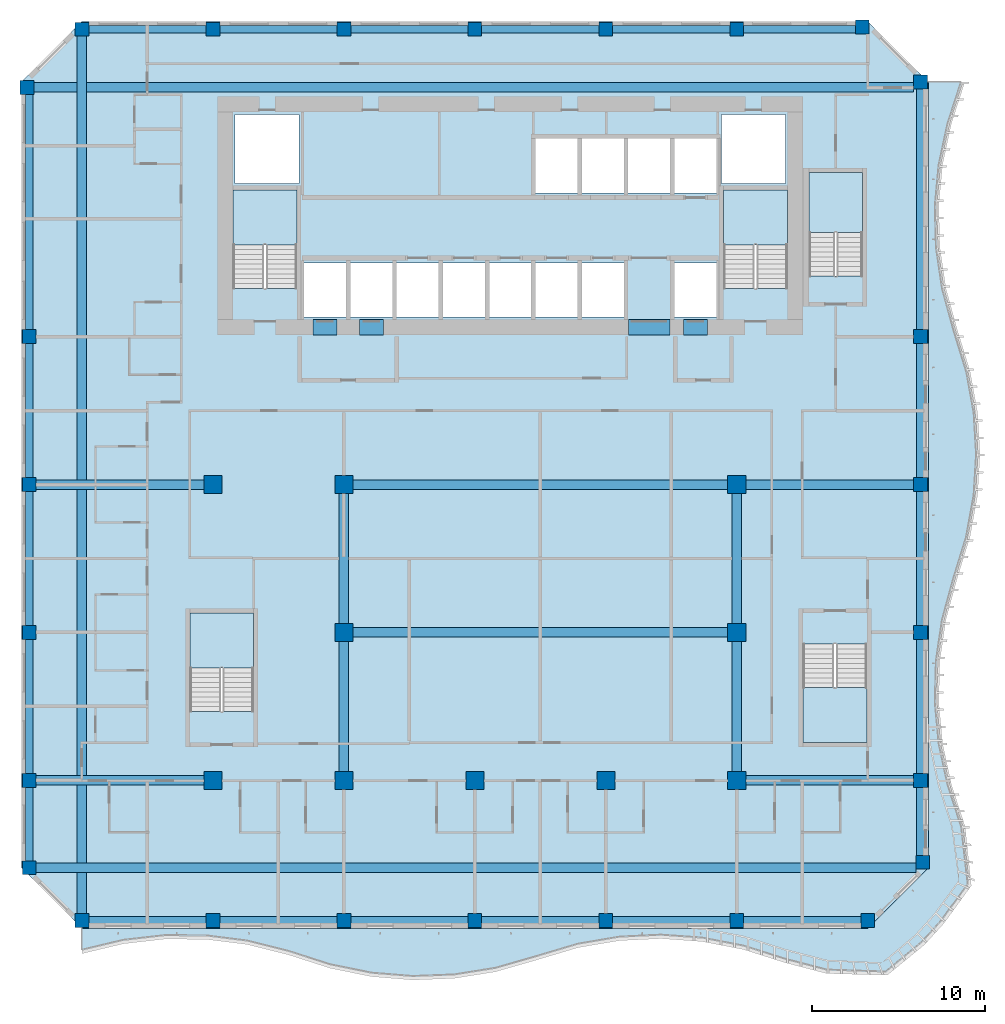
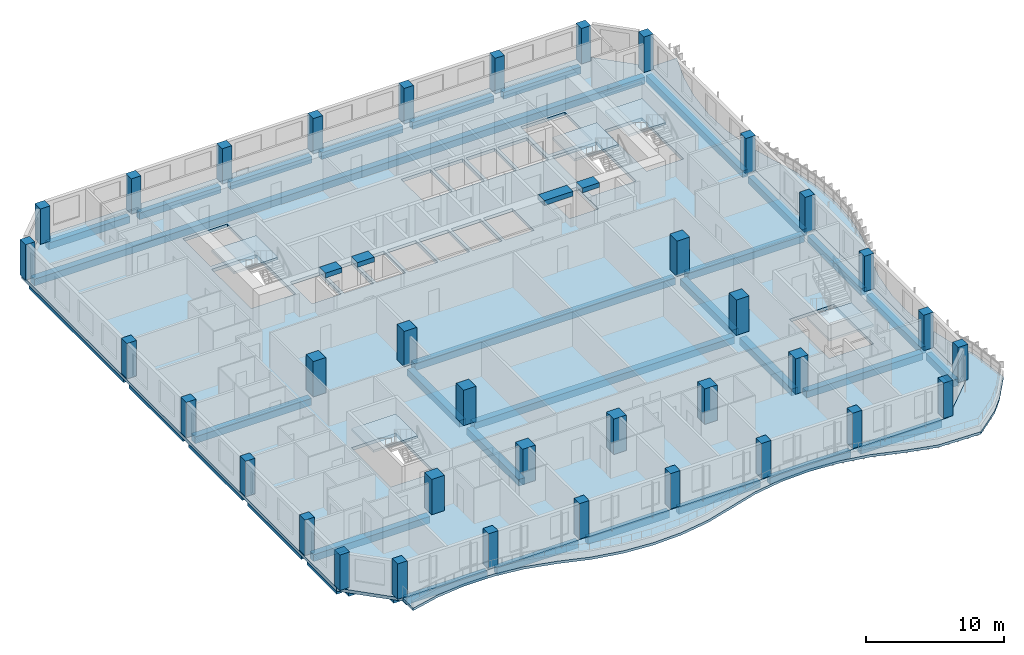
# One storey, part 1 of 23: 39 beams, 36 columns, 7 slabs, 5 elements without a shape of their own.
"""IFC4 building model written with IfcOpenShell, lengths in metres."""

import ifcopenshell
import ifcopenshell.guid

model = None  # the IFC model being written
_history = None  # IfcOwnerHistory: only IFC2X3 demands one
_inside = {}  # id of a spatial element -> (the spatial element, [elements in it])
_under = {}  # id of a project, library or spatial element -> (it, [spatial elements below it])
_declared = {}  # id of a project -> (the project, [libraries it declares])
_typed = {}  # id of a type object -> (the type object, [elements of that type])
_made_of = {}  # id of a material, layer set ... -> (it, [elements and type objects made of it])


def new_model(schema):
    """Start an empty IFC model of exactly this schema.

    Asked for "IFC4X3", IfcOpenShell would pick the latest addendum, in which some entities
    have other attributes; the version numbers below select the first issue.
    IFC2X3 requires an IfcOwnerHistory on every rooted entity: one is made here for all.
    """
    global model, _history
    if schema == "IFC4X3":
        model = ifcopenshell.file(schema_version=(4, 3, 0, 0))
    else:
        model = ifcopenshell.file(schema=schema)
    _inside.clear()
    _under.clear()
    _declared.clear()
    _typed.clear()
    _made_of.clear()
    _history = None
    if model.schema == "IFC2X3":
        org = make("IfcOrganization", Name="unknown")
        user = make(
            "IfcPersonAndOrganization",
            ThePerson=make("IfcPerson", FamilyName="unknown"),
            TheOrganization=org,
        )
        app = make(
            "IfcApplication",
            ApplicationDeveloper=org,
            Version="unknown",
            ApplicationFullName="unknown",
            ApplicationIdentifier="unknown",
        )
        _history = make(
            "IfcOwnerHistory",
            OwningUser=user,
            OwningApplication=app,
            ChangeAction="ADDED",
            CreationDate=0,
        )
    return model


def make(cls, **values):
    """One entity of the class cls with the attributes given. An attribute that is None is left unset."""
    return model.create_entity(
        cls, **{name: value for name, value in values.items() if value is not None}
    )


def rooted(cls, **values):
    """An entity with a GlobalId (a new one), such as an element, a storey or a relation."""
    return make(cls, GlobalId=ifcopenshell.guid.new(), OwnerHistory=_history, **values)


def si_unit(unit_type, name, prefix=None):
    """IfcSIUnit, for example si_unit("LENGTHUNIT", "METRE", prefix="MILLI")."""
    return make("IfcSIUnit", UnitType=unit_type, Prefix=prefix, Name=name)


def assignment(units):
    """IfcUnitAssignment: the units of a project."""
    return None if units is None else make("IfcUnitAssignment", Units=units)


def point(xyz):
    """IfcCartesianPoint."""
    return None if xyz is None else make("IfcCartesianPoint", Coordinates=xyz)


def direction(xyz):
    """IfcDirection."""
    return None if xyz is None else make("IfcDirection", DirectionRatios=xyz)


def frame(location, z_axis=None, x_axis=None):
    """IfcAxis2Placement3D, a coordinate frame: its origin and axes. An axis left out is left unset."""
    return make(
        "IfcAxis2Placement3D",
        Location=point(location),
        Axis=direction(z_axis),
        RefDirection=direction(x_axis),
    )


def frame_2d(location, x_axis=None):
    """IfcAxis2Placement2D, a coordinate frame in the plane: its origin and x axis."""
    return make(
        "IfcAxis2Placement2D", Location=point(location), RefDirection=direction(x_axis)
    )


def origin():
    """The frame at (0, 0, 0) with its axes left unset."""
    return frame((0.0, 0.0, 0.0))


def origin_2d():
    """The frame at (0, 0) in the plane with its x axis left unset."""
    return frame_2d((0.0, 0.0))


def place(relative_to, where):
    """IfcLocalPlacement: puts the frame where relative to a parent placement (None: the world)."""
    return make(
        "IfcLocalPlacement", PlacementRelTo=relative_to, RelativePlacement=where
    )


def context(
    kind, dimensions, precision=None, world=None, true_north=None, identifier=None
):
    """IfcGeometricRepresentationContext, for example the 3D "Model" context."""
    return make(
        "IfcGeometricRepresentationContext",
        ContextIdentifier=identifier,
        ContextType=kind,
        CoordinateSpaceDimension=dimensions,
        Precision=precision,
        WorldCoordinateSystem=world,
        TrueNorth=true_north,
    )


def subcontext(parent, identifier, kind, view, scale=None):
    """IfcGeometricRepresentationSubContext, for example "Body" below "Model"."""
    return make(
        "IfcGeometricRepresentationSubContext",
        ContextIdentifier=identifier,
        ContextType=kind,
        ParentContext=parent,
        TargetScale=scale,
        TargetView=view,
    )


def project(units=None, contexts=None):
    """IfcProject with its units and contexts."""
    return rooted(
        "IfcProject",
        Name="project",
        RepresentationContexts=contexts,
        UnitsInContext=assignment(units),
    )


def spatial(cls, under=None, at=None, **own):
    """A site, building, storey or space (cls), placed at a placement, below another one or the project."""
    s = rooted(cls, ObjectPlacement=at, **own)
    if under is not None:
        _under.setdefault(under.id(), (under, []))[1].append(s)
    return s


def polyline(points):
    """IfcPolyline through the points."""
    return make("IfcPolyline", Points=[point(p) for p in points])


def profile(cls, at=None, kind="AREA", **sizes):
    """A parametric profile (cls). Its sizes go by their IFC names, for example OverallWidth=200.0."""
    return make(cls, ProfileType=kind, Position=at, **sizes)


def rectangle(**sizes):
    """IfcRectangleProfileDef."""
    return profile("IfcRectangleProfileDef", **sizes)


def outline(outer, holes=None, kind="AREA"):
    """IfcArbitraryClosedProfileDef: a profile drawn as a closed curve; with holes, ...WithVoids."""
    if holes is None:
        return make("IfcArbitraryClosedProfileDef", ProfileType=kind, OuterCurve=outer)
    return make(
        "IfcArbitraryProfileDefWithVoids",
        ProfileType=kind,
        OuterCurve=outer,
        InnerCurves=holes,
    )


def extrude(swept, where, along, depth):
    """IfcExtrudedAreaSolid: the profile swept, set in the frame where, extruded along a direction by depth."""
    return make(
        "IfcExtrudedAreaSolid",
        SweptArea=swept,
        Position=where,
        ExtrudedDirection=direction(along),
        Depth=depth,
    )


def shape(context_of_items, identifier, shape_type, items):
    """IfcShapeRepresentation: the items that make up one representation, for example the "Body"."""
    return make(
        "IfcShapeRepresentation",
        ContextOfItems=context_of_items,
        RepresentationIdentifier=identifier,
        RepresentationType=shape_type,
        Items=items,
    )


def source(mapping_origin, context_of_items, identifier, shape_type, items):
    """IfcRepresentationMap: a shape defined once, which mapped items show again and again."""
    return make(
        "IfcRepresentationMap",
        MappingOrigin=mapping_origin,
        MappedRepresentation=shape(context_of_items, identifier, shape_type, items),
    )


def transform(
    local_origin,
    x_axis=None,
    y_axis=None,
    z_axis=None,
    scale=None,
    scale2=None,
    scale3=None,
    uniform=True,
):
    """IfcCartesianTransformationOperator3D, or its non-uniform kind. x_axis, y_axis, z_axis: its Axis1, 2, 3."""
    if uniform:
        return make(
            "IfcCartesianTransformationOperator3D",
            Axis1=direction(x_axis),
            Axis2=direction(y_axis),
            LocalOrigin=point(local_origin),
            Scale=scale,
            Axis3=direction(z_axis),
        )
    return make(
        "IfcCartesianTransformationOperator3DnonUniform",
        Axis1=direction(x_axis),
        Axis2=direction(y_axis),
        LocalOrigin=point(local_origin),
        Scale=scale,
        Axis3=direction(z_axis),
        Scale2=scale2,
        Scale3=scale3,
    )


def mapped(mapping_source, mapping_target):
    """IfcMappedItem: shows the shape of a source again, moved by a transform."""
    return make(
        "IfcMappedItem", MappingSource=mapping_source, MappingTarget=mapping_target
    )


def material(Name=None, Category=None):
    """IfcMaterial."""
    return make("IfcMaterial", Name=Name, Category=Category)


def layer(
    of_material, thickness, ventilated=None, Name=None, Category=None, Priority=None
):
    """IfcMaterialLayer: one layer of a wall or slab, of a material (None: an air gap)."""
    return make(
        "IfcMaterialLayer",
        Material=of_material,
        LayerThickness=thickness,
        IsVentilated=ventilated,
        Name=Name,
        Category=Category,
        Priority=Priority,
    )


def layer_set(layers, Name=None):
    """IfcMaterialLayerSet."""
    return make("IfcMaterialLayerSet", MaterialLayers=layers, LayerSetName=Name)


def material_profile(
    of_material, cross_section, Name=None, Category=None, Priority=None
):
    """IfcMaterialProfile: a cross section and its material."""
    return make(
        "IfcMaterialProfile",
        Name=Name,
        Material=of_material,
        Profile=cross_section,
        Priority=Priority,
        Category=Category,
    )


def profile_set(profiles, Name=None, composite=None):
    """IfcMaterialProfileSet."""
    return make(
        "IfcMaterialProfileSet",
        Name=Name,
        MaterialProfiles=profiles,
        CompositeProfile=composite,
    )


def made_of(thing, what):
    """Note that an element or type object is made of a material, layer set ...; save() writes the relation."""
    if what is not None:
        _made_of.setdefault(what.id(), (what, []))[1].append(thing)
    return thing


def type_object(cls, material=None, **own):
    """A type object (cls), such as IfcWallType, which elements share."""
    return made_of(rooted(cls, **own), material)


def element(
    cls,
    number,
    at=None,
    inside=None,
    cuts=None,
    type_object=None,
    material=None,
    context=None,
    identifier="Body",
    shape_type=None,
    held_by="IfcProductDefinitionShape",
    body=None,
    shapes=None,
    **own,
):
    """One element of the class cls, such as IfcWall. Its Tag is "e" and its number.

    at: its placement. inside: the storey or other place that contains it. cuts: it is an
    opening in that element (IfcRelVoidsElement). A single representation is given by context,
    identifier, shape_type and body (its items); several are given by shapes. held_by: the class
    of the entity that holds the representations. save() writes the other relations.
    """
    e = rooted(cls, Tag="e%d" % number, ObjectPlacement=at, **own)
    if body is not None:
        shapes = [shape(context, identifier, shape_type, body)]
    if shapes is not None:
        e.Representation = make(held_by, Representations=shapes)
    if inside is not None:
        _inside.setdefault(inside.id(), (inside, []))[1].append(e)
    if cuts is not None:
        rooted(
            "IfcRelVoidsElement", RelatingBuildingElement=cuts, RelatedOpeningElement=e
        )
    if type_object is not None:
        _typed.setdefault(type_object.id(), (type_object, []))[1].append(e)
    return made_of(e, material)


def aggregate(whole, parts):
    """IfcRelAggregates: a whole, such as a stair, and the parts it consists of."""
    return rooted("IfcRelAggregates", RelatingObject=whole, RelatedObjects=parts)


def save(model, path):
    """Write the relations noted so far, then the file.

    IfcRelAggregates (storeys below a building ...), IfcRelContainedInSpatialStructure (elements
    in a storey), IfcRelDefinesByType, IfcRelAssociatesMaterial and IfcRelDeclares: one each for
    every whole, place, type object, material and project.
    """
    for whole, parts in _under.values():
        aggregate(whole, parts)
    for where, things in _inside.values():
        rooted(
            "IfcRelContainedInSpatialStructure",
            RelatedElements=things,
            RelatingStructure=where,
        )
    for kind, things in _typed.values():
        rooted("IfcRelDefinesByType", RelatedObjects=things, RelatingType=kind)
    for what, things in _made_of.values():
        rooted("IfcRelAssociatesMaterial", RelatedObjects=things, RelatingMaterial=what)
    for by, libraries in _declared.values():
        rooted("IfcRelDeclares", RelatingContext=by, RelatedDefinitions=libraries)
    model.write(path)


model = new_model("IFC4")

# Units and contexts
model_context = context("Model", 3, precision=1e-05, world=origin(), true_north=direction((0.0, 1.0)))
body_context = subcontext(model_context, "Body", "Model", "MODEL_VIEW")
ifc_project = project(units=[si_unit("LENGTHUNIT", "METRE"), si_unit("AREAUNIT", "SQUARE_METRE"), si_unit("VOLUMEUNIT", "CUBIC_METRE"), si_unit("PLANEANGLEUNIT", "RADIAN"), si_unit("MASSUNIT", "GRAM", prefix="KILO")], contexts=[model_context])

# Site, building, storey
site_placement = place(None, origin())
site = spatial("IfcSite", under=ifc_project, at=site_placement, CompositionType="ELEMENT")
building_placement = place(site_placement, origin())
building = spatial("IfcBuilding", under=site, at=building_placement, Name="Kilnfold Tower and Market Hall", CompositionType="ELEMENT")
storey_placement = place(building_placement, frame((0.0, 0.0, 178.699951171875)))
storey = spatial("IfcBuildingStorey", under=building, at=storey_placement, Name="L42", CompositionType="ELEMENT", Elevation=178.699951171875)

# Columns
ifc_material_1 = material(Name="Concrete C70", Category="concrete")
ifc_material_profile_1 = material_profile(ifc_material_1, rectangle(XDim=0.800048828125, YDim=0.800048828125, at=origin_2d()), Name="RC 800x800")
ifc_profile_set_1 = profile_set([ifc_material_profile_1], Name="Concrete C70")
column_type_1 = type_object("IfcColumnType", Name="COLUMN 800X800 C70", PredefinedType="COLUMN", material=ifc_profile_set_1)
shared_shape_1 = source(origin(), body_context, "Body", "SweptSolid", [
    extrude(rectangle(XDim=0.800048828125, YDim=0.800048828125, at=origin_2d()), origin(), (0.0, 0.0, 1.0), 3.1201171875),
])
for number, where, z_axis, x_axis, name in (
    (1, (-26.931884765625, 22.431884765625, 0.0), (0.0, 0.0, 1.0), (1.0, 0.0, 0.0), "Column C-B5-1H"),
    (2, (-26.800048828125, -22.75, 0.0), (0.0, 0.0, 1.0), (1.0, 0.0, 0.0), "Column C-B5-1B"),
    (3, (-26.800048828125, -17.6875, 0.0), (0.0, 0.0, 1.0), (1.0, 0.0, 0.0), "Column C-B5-1C"),
    (4, (-26.800048828125, -9.125, 0.0), (0.0, 0.0, 1.0), (1.0, 0.0, 0.0), "Column C-B5-1D"),
    (5, (-26.800048828125, -0.5625, 0.0), (0.0, 0.0, 1.0), (1.0, 0.0, 0.0), "Column C-B5-1E"),
    (6, (-26.800048828125, 8.0, 0.0), (0.0, 0.0, 1.0), (1.0, 0.0, 0.0), "Column C-B5-1F"),
    (7, (-23.75, -25.800048828125, 0.0), (0.0, 0.0, 1.0), (1.0, 0.0, 0.0), "Column C-B5-2A"),
    (8, (-23.75, 25.800048828125, 0.0), (0.0, 0.0, 1.0), (1.0, 0.0, 0.0), "Column C-B5-2I"),
    (9, (-16.166748046875, -25.800048828125, 0.0), (0.0, 0.0, 1.0), (1.0, 0.0, 0.0), "Column C-B5-3A"),
    (10, (-16.166748046875, 25.800048828125, 0.0), (0.0, 0.0, 1.0), (1.0, 0.0, 0.0), "Column C-B5-3I"),
    (11, (-8.583251953125, -25.800048828125, 0.0), (0.0, 0.0, 1.0), (1.0, 0.0, 0.0), "Column C-B5-4A"),
    (12, (-8.583251953125, 25.800048828125, 0.0), (0.0, 0.0, 1.0), (1.0, 0.0, 0.0), "Column C-B5-4I"),
    (13, (-1.0, -25.800048828125, 0.0), (0.0, 0.0, 1.0), (1.0, 0.0, 0.0), "Column C-B5-5A"),
    (14, (-1.0, 25.800048828125, 0.0), (0.0, 0.0, 1.0), (1.0, 0.0, 0.0), "Column C-B5-5I"),
    (15, (6.583251953125, -25.800048828125, 0.0), (0.0, 0.0, 1.0), (1.0, 0.0, 0.0), "Column C-B5-6A"),
    (16, (6.583251953125, 25.800048828125, 0.0), (0.0, 0.0, 1.0), (1.0, 0.0, 0.0), "Column C-B5-6I"),
    (17, (14.166748046875, -25.800048828125, 0.0), (0.0, 0.0, 1.0), (1.0, 0.0, 0.0), "Column C-B5-7A"),
    (18, (14.166748046875, 25.800048828125, 0.0), (0.0, 0.0, 1.0), (1.0, 0.0, 0.0), "Column C-B5-7I"),
    (19, (21.431884765625, 25.931884765625, 0.0), (0.0, 0.0, 1.0), (1.0, 0.0, 0.0), "Column C-B5-8I"),
    (20, (21.75, -25.800048828125, 0.0), (0.0, 0.0, 1.0), (1.0, 0.0, 0.0), "Column C-B5-8A"),
    (21, (24.800048828125, -17.6875, 0.0), (0.0, 0.0, 1.0), (1.0, 0.0, 0.0), "Column C-B5-9C"),
    (22, (24.800048828125, -9.125, 0.0), (0.0, 0.0, 1.0), (1.0, 0.0, 0.0), "Column C-B5-9D"),
    (23, (24.800048828125, -0.5625, 0.0), (0.0, 0.0, 1.0), (1.0, 0.0, 0.0), "Column C-B5-9E"),
    (24, (24.800048828125, 8.0, 0.0), (0.0, 0.0, 1.0), (1.0, 0.0, 0.0), "Column C-B5-9F"),
    (25, (24.800048828125, 22.75, 0.0), (0.0, 0.0, 1.0), (1.0, 0.0, 0.0), "Column C-B5-9H"),
    (26, (24.931884765625, -22.431884765625, 0.0), (0.0, 0.0, 1.0), (1.0, 0.0, 0.0), "Column C-B5-9B"),
):
    element("IfcColumn", number, at=place(storey_placement, frame(where, z_axis=z_axis, x_axis=x_axis)), inside=storey, type_object=column_type_1, Name=name, PredefinedType="COLUMN", context=body_context, shape_type="MappedRepresentation", body=[
        mapped(shared_shape_1, transform((0.0, 0.0, 0.0))),
    ])
ifc_material_2 = material(Name="Concrete C70", Category="concrete")
ifc_material_profile_2 = material_profile(ifc_material_2, rectangle(XDim=1.050048828125, YDim=1.050048828125, at=origin_2d()), Name="RC 1050x1050")
ifc_profile_set_2 = profile_set([ifc_material_profile_2], Name="Concrete C70")
column_type_2 = type_object("IfcColumnType", Name="COLUMN 1050X1050 C70", PredefinedType="COLUMN", material=ifc_profile_set_2)
shared_shape_2 = source(origin(), body_context, "Body", "SweptSolid", [
    extrude(rectangle(XDim=1.050048828125, YDim=1.050048828125, at=origin_2d()), origin(), (0.0, 0.0, 1.0), 3.1201171875),
])
for number, where, z_axis, x_axis, name in (
    (27, (-16.166748046875, -17.6875, 0.0), (0.0, 0.0, 1.0), (1.0, 0.0, 0.0), "Column C-B5-3C"),
    (28, (-16.166748046875, -0.5625, 0.0), (0.0, 0.0, 1.0), (1.0, 0.0, 0.0), "Column C-B5-3E"),
    (29, (-8.583251953125, -17.6875, 0.0), (0.0, 0.0, 1.0), (1.0, 0.0, 0.0), "Column C-B5-4C"),
    (30, (-8.583251953125, -9.125, 0.0), (0.0, 0.0, 1.0), (1.0, 0.0, 0.0), "Column C-B5-4D"),
    (31, (-8.583251953125, -0.5625, 0.0), (0.0, 0.0, 1.0), (1.0, 0.0, 0.0), "Column C-B5-4E"),
    (32, (-1.0, -17.6875, 0.0), (0.0, 0.0, 1.0), (1.0, 0.0, 0.0), "Column C-B5-5C"),
    (33, (6.583251953125, -17.6875, 0.0), (0.0, 0.0, 1.0), (1.0, 0.0, 0.0), "Column C-B5-6C"),
    (34, (14.166748046875, -17.6875, 0.0), (0.0, 0.0, 1.0), (1.0, 0.0, 0.0), "Column C-B5-7C"),
    (35, (14.166748046875, -9.125, 0.0), (0.0, 0.0, 1.0), (1.0, 0.0, 0.0), "Column C-B5-7D"),
    (36, (14.166748046875, -0.5625, 0.0), (0.0, 0.0, 1.0), (1.0, 0.0, 0.0), "Column C-B5-7E"),
):
    element("IfcColumn", number, at=place(storey_placement, frame(where, z_axis=z_axis, x_axis=x_axis)), inside=storey, type_object=column_type_2, Name=name, PredefinedType="COLUMN", context=body_context, shape_type="MappedRepresentation", body=[
        mapped(shared_shape_2, transform((0.0, 0.0, 0.0))),
    ])

# Beams
ifc_material_3 = material(Name="Concrete C70", Category="concrete")
ifc_material_profile_3 = material_profile(ifc_material_3, rectangle(XDim=0.89990234375, YDim=0.419921875, at=origin_2d()), Name="RC 900x420")
ifc_profile_set_3 = profile_set([ifc_material_profile_3], Name="Concrete C70")
beam_type_1 = type_object("IfcBeamType", Name="COUPLING BEAM 900X420 C70", PredefinedType="BEAM", material=ifc_profile_set_3)
shared_shape_3 = source(origin(), body_context, "Body", "SweptSolid", [
    extrude(rectangle(XDim=0.89990234375, YDim=0.419921875, at=origin_2d()), origin(), (0.0, 0.0, 1.0), 1.400146484375),
])
beam_1_placement = place(storey_placement, frame((-10.3701171875, 8.550048828125, 2.91015625), z_axis=(1.0, 0.0, 0.0), x_axis=(0.0, 1.0, 0.0)))
element("IfcBeam", 37, at=beam_1_placement, inside=storey, type_object=beam_type_1, Name="Coupling beam CB420-70-CORE.37", PredefinedType="BEAM", context=body_context, shape_type="MappedRepresentation", body=[
    mapped(shared_shape_3, transform((0.0, 0.0, 0.0))),
])
shared_shape_4 = source(origin(), body_context, "Body", "SweptSolid", [
    extrude(rectangle(XDim=0.89990234375, YDim=0.419921875, at=origin_2d()), origin(), (0.0, 0.0, 1.0), 1.39990234375),
])
for number, where, z_axis, x_axis, name in (
    (38, (-7.68994140625, 8.550048828125, 2.91015625), (1.0, 0.0, 0.0), (0.0, 1.0, 0.0), "Coupling beam CB420-70-CORE.38"),
    (39, (11.070068359375, 8.550048828125, 2.91015625), (1.0, 0.0, 0.0), (0.0, 1.0, 0.0), "Coupling beam CB420-70-CORE.40"),
):
    element("IfcBeam", number, at=place(storey_placement, frame(where, z_axis=z_axis, x_axis=x_axis)), inside=storey, type_object=beam_type_1, Name=name, PredefinedType="BEAM", context=body_context, shape_type="MappedRepresentation", body=[
        mapped(shared_shape_4, transform((0.0, 0.0, 0.0))),
    ])
shared_shape_5 = source(origin(), body_context, "Body", "SweptSolid", [
    extrude(rectangle(XDim=0.89990234375, YDim=0.419921875, at=origin_2d()), origin(), (0.0, 0.0, 1.0), 2.400146484375),
])
beam_2_placement = place(storey_placement, frame((7.889892578125, 8.550048828125, 2.91015625), z_axis=(1.0, 0.0, 0.0), x_axis=(0.0, 1.0, 0.0)))
element("IfcBeam", 40, at=beam_2_placement, inside=storey, type_object=beam_type_1, Name="Coupling beam CB420-70-CORE.39", PredefinedType="BEAM", context=body_context, shape_type="MappedRepresentation", body=[
    mapped(shared_shape_5, transform((0.0, 0.0, 0.0))),
])
ifc_material_4 = material(Name="Concrete C45", Category="concrete")
ifc_material_profile_4 = material_profile(ifc_material_4, rectangle(XDim=0.449951171875, YDim=0.60009765625, at=origin_2d()), Name="RC 450x600")
ifc_profile_set_4 = profile_set([ifc_material_profile_4], Name="Concrete C45")
beam_type_2 = type_object("IfcBeamType", Name="EDGE BEAM 450X600 C45", PredefinedType="BEAM", material=ifc_profile_set_4)
shared_shape_6 = source(origin(), body_context, "Body", "SweptSolid", [
    extrude(rectangle(XDim=0.449951171875, YDim=0.60009765625, at=origin_2d()), origin(), (0.0, 0.0, 1.0), 6.783447265625),
])
for number, where, z_axis, x_axis, name in (
    (41, (-23.35009765625, -25.800048828125, -0.579833984375), (1.0, 0.0, 0.0), (0.0, 1.0, 0.0), "Beam EB600-B5.45"),
    (42, (-8.183349609375, -25.800048828125, -0.579833984375), (1.0, 0.0, 0.0), (0.0, 1.0, 0.0), "Beam EB600-B5.47"),
    (43, (-0.60009765625, -25.800048828125, -0.579833984375), (1.0, 0.0, 0.0), (0.0, 1.0, 0.0), "Beam EB600-B5.48"),
    (44, (14.566650390625, -25.800048828125, -0.579833984375), (1.0, 0.0, 0.0), (0.0, 1.0, 0.0), "Beam EB600-B5.50"),
    (45, (-23.35009765625, 25.800048828125, -0.579833984375), (1.0, 0.0, 0.0), (0.0, 1.0, 0.0), "Beam EB600-B5.59"),
    (46, (-8.183349609375, 25.800048828125, -0.579833984375), (1.0, 0.0, 0.0), (0.0, 1.0, 0.0), "Beam EB600-B5.61"),
    (47, (-0.60009765625, 25.800048828125, -0.579833984375), (1.0, 0.0, 0.0), (0.0, 1.0, 0.0), "Beam EB600-B5.62"),
):
    element("IfcBeam", number, at=place(storey_placement, frame(where, z_axis=z_axis, x_axis=x_axis)), inside=storey, type_object=beam_type_2, Name=name, PredefinedType="BEAM", context=body_context, shape_type="MappedRepresentation", body=[
        mapped(shared_shape_6, transform((0.0, 0.0, 0.0))),
    ])
shared_shape_7 = source(origin(), body_context, "Body", "SweptSolid", [
    extrude(rectangle(XDim=0.449951171875, YDim=0.60009765625, at=origin_2d()), origin(), (0.0, 0.0, 1.0), 6.783203125),
])
for number, where, z_axis, x_axis, name in (
    (48, (-15.7666015625, -25.800048828125, -0.579833984375), (1.0, 0.0, 0.0), (0.0, 1.0, 0.0), "Beam EB600-B5.46"),
    (49, (6.9833984375, -25.800048828125, -0.579833984375), (1.0, 0.0, 0.0), (0.0, 1.0, 0.0), "Beam EB600-B5.49"),
    (50, (-15.7666015625, 25.800048828125, -0.579833984375), (1.0, 0.0, 0.0), (0.0, 1.0, 0.0), "Beam EB600-B5.60"),
    (51, (6.9833984375, 25.800048828125, -0.579833984375), (1.0, 0.0, 0.0), (0.0, 1.0, 0.0), "Beam EB600-B5.63"),
):
    element("IfcBeam", number, at=place(storey_placement, frame(where, z_axis=z_axis, x_axis=x_axis)), inside=storey, type_object=beam_type_2, Name=name, PredefinedType="BEAM", context=body_context, shape_type="MappedRepresentation", body=[
        mapped(shared_shape_7, transform((0.0, 0.0, 0.0))),
    ])
ifc_material_5 = material(Name="Concrete C45", Category="concrete")
ifc_material_profile_5 = material_profile(ifc_material_5, rectangle(XDim=0.550048828125, YDim=0.60009765625, at=origin_2d()), Name="RC 550x600")
ifc_profile_set_5 = profile_set([ifc_material_profile_5], Name="Concrete C45")
beam_type_3 = type_object("IfcBeamType", Name="BEAM 550X600 C45", PredefinedType="BEAM", material=ifc_profile_set_5)
shared_shape_8 = source(origin(), body_context, "Body", "SweptSolid", [
    extrude(rectangle(XDim=0.550048828125, YDim=0.60009765625, at=origin_2d()), origin(), (0.0, 0.0, 1.0), 50.931640625),
])
for number, where, z_axis, x_axis, name in (
    (52, (-26.39990234375, -22.75, -0.579833984375), (1.0, 0.0, 0.0), (0.0, 1.0, 0.0), "Beam BB600-B5.51"),
    (53, (-26.53173828125, 22.429931640625, -0.579833984375), (1.0, 0.0, 0.0), (0.0, 1.0, 0.0), "Beam BB600-B5.58"),
):
    element("IfcBeam", number, at=place(storey_placement, frame(where, z_axis=z_axis, x_axis=x_axis)), inside=storey, type_object=beam_type_3, Name=name, PredefinedType="BEAM", context=body_context, shape_type="MappedRepresentation", body=[
        mapped(shared_shape_8, transform((0.0, 0.0, 0.0))),
    ])
shared_shape_9 = source(origin(), body_context, "Body", "SweptSolid", [
    extrude(rectangle(XDim=0.449951171875, YDim=0.60009765625, at=origin_2d()), origin(), (0.0, 0.0, 1.0), 6.465087890625),
])
beam_3_placement = place(storey_placement, frame((14.566650390625, 25.800048828125, -0.579833984375), z_axis=(1.0, 0.0, 0.0), x_axis=(0.0, 1.0, 0.0)))
element("IfcBeam", 54, at=beam_3_placement, inside=storey, type_object=beam_type_2, Name="Beam EB600-B5.64", PredefinedType="BEAM", context=body_context, shape_type="MappedRepresentation", body=[
    mapped(shared_shape_9, transform((0.0, 0.0, 0.0))),
])
shared_shape_10 = source(origin(), body_context, "Body", "SweptSolid", [
    extrude(rectangle(XDim=0.550048828125, YDim=0.60009765625, at=origin_2d()), origin(), (0.0, 0.0, 1.0), 50.7998046875),
])
beam_4_placement = place(storey_placement, frame((-23.75, -25.39990234375, -0.579833984375), z_axis=(0.0, 1.0, 0.0), x_axis=(-1.0, 0.0, 0.0)))
element("IfcBeam", 55, at=beam_4_placement, inside=storey, type_object=beam_type_3, Name="Beam BB600-B5.70", PredefinedType="BEAM", context=body_context, shape_type="MappedRepresentation", body=[
    mapped(shared_shape_10, transform((0.0, 0.0, 0.0))),
])
shared_shape_11 = source(origin(), body_context, "Body", "SweptSolid", [
    extrude(rectangle(XDim=0.550048828125, YDim=0.60009765625, at=origin_2d()), origin(), (0.0, 0.0, 1.0), 9.708251953125),
])
for number, where, z_axis, x_axis, name in (
    (56, (-26.39990234375, -17.68994140625, -0.579833984375), (1.0, 0.0, 0.0), (0.0, 1.0, 0.0), "Beam BB600-B5.52"),
    (57, (14.691650390625, -17.68994140625, -0.579833984375), (1.0, 0.0, 0.0), (0.0, 1.0, 0.0), "Beam BB600-B5.53"),
    (58, (-26.39990234375, -0.56005859375, -0.579833984375), (1.0, 0.0, 0.0), (0.0, 1.0, 0.0), "Beam BB600-B5.55"),
    (59, (14.691650390625, -0.56005859375, -0.579833984375), (1.0, 0.0, 0.0), (0.0, 1.0, 0.0), "Beam BB600-B5.57"),
):
    element("IfcBeam", number, at=place(storey_placement, frame(where, z_axis=z_axis, x_axis=x_axis)), inside=storey, type_object=beam_type_3, Name=name, PredefinedType="BEAM", context=body_context, shape_type="MappedRepresentation", body=[
        mapped(shared_shape_11, transform((0.0, 0.0, 0.0))),
    ])
shared_shape_12 = source(origin(), body_context, "Body", "SweptSolid", [
    extrude(rectangle(XDim=0.550048828125, YDim=0.60009765625, at=origin_2d()), origin(), (0.0, 0.0, 1.0), 21.699951171875),
])
for number, where, z_axis, x_axis, name in (
    (60, (-8.058349609375, -9.1201171875, -0.579833984375), (1.0, 0.0, 0.0), (0.0, 1.0, 0.0), "Beam BB600-B5.54"),
    (61, (-8.058349609375, -0.56005859375, -0.579833984375), (1.0, 0.0, 0.0), (0.0, 1.0, 0.0), "Beam BB600-B5.56"),
):
    element("IfcBeam", number, at=place(storey_placement, frame(where, z_axis=z_axis, x_axis=x_axis)), inside=storey, type_object=beam_type_3, Name=name, PredefinedType="BEAM", context=body_context, shape_type="MappedRepresentation", body=[
        mapped(shared_shape_12, transform((0.0, 0.0, 0.0))),
    ])
shared_shape_13 = source(origin(), body_context, "Body", "SweptSolid", [
    extrude(rectangle(XDim=0.449951171875, YDim=0.60009765625, at=origin_2d()), origin(), (0.0, 0.0, 1.0), 4.2626953125),
])
beam_5_placement = place(storey_placement, frame((-26.800048828125, -22.35009765625, -0.579833984375), z_axis=(0.0, 1.0, 0.0), x_axis=(-1.0, 0.0, 0.0)))
element("IfcBeam", 62, at=beam_5_placement, inside=storey, type_object=beam_type_2, Name="Beam EB600-B5.65", PredefinedType="BEAM", context=body_context, shape_type="MappedRepresentation", body=[
    mapped(shared_shape_13, transform((0.0, 0.0, 0.0))),
])
shared_shape_14 = source(origin(), body_context, "Body", "SweptSolid", [
    extrude(rectangle(XDim=0.449951171875, YDim=0.60009765625, at=origin_2d()), origin(), (0.0, 0.0, 1.0), 7.7626953125),
])
for number, where, z_axis, x_axis, name in (
    (63, (-26.800048828125, -17.28759765625, -0.579833984375), (0.0, 1.0, 0.0), (-1.0, 0.0, 0.0), "Beam EB600-B5.66"),
    (64, (-26.800048828125, -8.72509765625, -0.579833984375), (0.0, 1.0, 0.0), (-1.0, 0.0, 0.0), "Beam EB600-B5.67"),
    (65, (-26.800048828125, -0.16259765625, -0.579833984375), (0.0, 1.0, 0.0), (-1.0, 0.0, 0.0), "Beam EB600-B5.68"),
    (66, (24.800048828125, -17.28759765625, -0.579833984375), (0.0, 1.0, 0.0), (-1.0, 0.0, 0.0), "Beam EB600-B5.76"),
    (67, (24.800048828125, -8.72509765625, -0.579833984375), (0.0, 1.0, 0.0), (-1.0, 0.0, 0.0), "Beam EB600-B5.77"),
    (68, (24.800048828125, -0.16259765625, -0.579833984375), (0.0, 1.0, 0.0), (-1.0, 0.0, 0.0), "Beam EB600-B5.78"),
):
    element("IfcBeam", number, at=place(storey_placement, frame(where, z_axis=z_axis, x_axis=x_axis)), inside=storey, type_object=beam_type_2, Name=name, PredefinedType="BEAM", context=body_context, shape_type="MappedRepresentation", body=[
        mapped(shared_shape_14, transform((0.0, 0.0, 0.0))),
    ])
shared_shape_15 = source(origin(), body_context, "Body", "SweptSolid", [
    extrude(rectangle(XDim=0.449951171875, YDim=0.60009765625, at=origin_2d()), origin(), (0.0, 0.0, 1.0), 13.6318359375),
])
beam_6_placement = place(storey_placement, frame((-26.800048828125, 8.39990234375, -0.579833984375), z_axis=(0.0, 1.0, 0.0), x_axis=(-1.0, 0.0, 0.0)))
element("IfcBeam", 69, at=beam_6_placement, inside=storey, type_object=beam_type_2, Name="Beam EB600-B5.69", PredefinedType="BEAM", context=body_context, shape_type="MappedRepresentation", body=[
    mapped(shared_shape_15, transform((0.0, 0.0, 0.0))),
])
shared_shape_16 = source(origin(), body_context, "Body", "SweptSolid", [
    extrude(rectangle(XDim=0.550048828125, YDim=0.60009765625, at=origin_2d()), origin(), (0.0, 0.0, 1.0), 7.5126953125),
])
for number, where, z_axis, x_axis, name in (
    (70, (-8.580078125, -17.16259765625, -0.579833984375), (0.0, 1.0, 0.0), (-1.0, 0.0, 0.0), "Beam BB600-B5.71"),
    (71, (-8.580078125, -8.60009765625, -0.579833984375), (0.0, 1.0, 0.0), (-1.0, 0.0, 0.0), "Beam BB600-B5.72"),
    (72, (14.169921875, -17.16259765625, -0.579833984375), (0.0, 1.0, 0.0), (-1.0, 0.0, 0.0), "Beam BB600-B5.73"),
    (73, (14.169921875, -8.60009765625, -0.579833984375), (0.0, 1.0, 0.0), (-1.0, 0.0, 0.0), "Beam BB600-B5.74"),
):
    element("IfcBeam", number, at=place(storey_placement, frame(where, z_axis=z_axis, x_axis=x_axis)), inside=storey, type_object=beam_type_3, Name=name, PredefinedType="BEAM", context=body_context, shape_type="MappedRepresentation", body=[
        mapped(shared_shape_16, transform((0.0, 0.0, 0.0))),
    ])
shared_shape_17 = source(origin(), body_context, "Body", "SweptSolid", [
    extrude(rectangle(XDim=0.449951171875, YDim=0.60009765625, at=origin_2d()), origin(), (0.0, 0.0, 1.0), 3.9443359375),
])
beam_7_placement = place(storey_placement, frame((24.800048828125, -22.03173828125, -0.579833984375), z_axis=(0.0, 1.0, 0.0), x_axis=(-1.0, 0.0, 0.0)))
element("IfcBeam", 74, at=beam_7_placement, inside=storey, type_object=beam_type_2, Name="Beam EB600-B5.75", PredefinedType="BEAM", context=body_context, shape_type="MappedRepresentation", body=[
    mapped(shared_shape_17, transform((0.0, 0.0, 0.0))),
])
shared_shape_18 = source(origin(), body_context, "Body", "SweptSolid", [
    extrude(rectangle(XDim=0.449951171875, YDim=0.60009765625, at=origin_2d()), origin(), (0.0, 0.0, 1.0), 13.9501953125),
])
beam_8_placement = place(storey_placement, frame((24.800048828125, 8.39990234375, -0.579833984375), z_axis=(0.0, 1.0, 0.0), x_axis=(-1.0, 0.0, 0.0)))
element("IfcBeam", 75, at=beam_8_placement, inside=storey, type_object=beam_type_2, Name="Beam EB600-B5.79", PredefinedType="BEAM", context=body_context, shape_type="MappedRepresentation", body=[
    mapped(shared_shape_18, transform((0.0, 0.0, 0.0))),
])

# Slabs
ifc_material_6 = material(Name="Concrete C45", Category="concrete")
ifc_layer_1 = layer(ifc_material_6, 0.280029296875)
ifc_layer_set_1 = layer_set([ifc_layer_1], Name="Concrete C45")
slab_type_1 = type_object("IfcSlabType", Name="FLOOR SLAB 280", PredefinedType="FLOOR", material=ifc_layer_set_1)
shared_shape_19 = source(origin(), body_context, "Body", "SweptSolid", [
    extrude(outline(polyline([(-23.75, -26.25), (21.75, -26.25), (25.25, -22.75), (25.25, 22.75), (21.75, 26.25), (-23.75, 26.25), (-27.25, 22.75), (-27.25, -22.75), (-23.75, -26.25)]), holes=[polyline([(-13.800537109375, -13.699462890625), (-17.49951171875, -13.699462890625), (-17.49951171875, -8.00048828125), (-13.800537109375, -8.00048828125), (-13.800537109375, -13.699462890625)]), polyline([(-14.99951171875, 10.800537109375), (-14.99951171875, 16.49951171875), (-11.300537109375, 16.49951171875), (-11.300537109375, 10.800537109375), (-14.99951171875, 10.800537109375)]), polyline([(-11.175048828125, 16.875), (-14.875, 16.875), (-14.875, 20.875), (-11.175048828125, 20.875), (-11.175048828125, 16.875)]), polyline([(-8.455078125, 9.125), (-10.885009765625, 9.125), (-10.885009765625, 12.27490234375), (-8.455078125, 12.27490234375), (-8.455078125, 9.125)]), polyline([(-5.77490234375, 9.125), (-8.205078125, 9.125), (-8.205078125, 12.27490234375), (-5.77490234375, 12.27490234375), (-5.77490234375, 9.125)]), polyline([(-3.094970703125, 9.125), (-5.52490234375, 9.125), (-5.52490234375, 12.27490234375), (-3.094970703125, 12.27490234375), (-3.094970703125, 9.125)]), polyline([(-0.4150390625, 9.125), (-2.844970703125, 9.125), (-2.844970703125, 12.27490234375), (-0.4150390625, 12.27490234375), (-0.4150390625, 9.125)]), polyline([(2.264892578125, 9.125), (-0.1650390625, 9.125), (-0.1650390625, 12.27490234375), (2.264892578125, 12.27490234375), (2.264892578125, 9.125)]), polyline([(4.945068359375, 9.125), (2.514892578125, 9.125), (2.514892578125, 12.27490234375), (4.945068359375, 12.27490234375), (4.945068359375, 9.125)]), polyline([(2.514892578125, 16.324951171875), (2.514892578125, 19.47509765625), (4.945068359375, 19.47509765625), (4.945068359375, 16.324951171875), (2.514892578125, 16.324951171875)]), polyline([(7.625, 9.125), (5.195068359375, 9.125), (5.195068359375, 12.27490234375), (7.625, 12.27490234375), (7.625, 9.125)]), polyline([(7.625, 16.324951171875), (5.195068359375, 16.324951171875), (5.195068359375, 19.47509765625), (7.625, 19.47509765625), (7.625, 16.324951171875)]), polyline([(10.304931640625, 16.324951171875), (7.875, 16.324951171875), (7.875, 19.47509765625), (10.304931640625, 19.47509765625), (10.304931640625, 16.324951171875)]), polyline([(10.554931640625, 9.125), (10.554931640625, 12.27490234375), (12.985107421875, 12.27490234375), (12.985107421875, 9.125), (10.554931640625, 9.125)]), polyline([(10.554931640625, 16.324951171875), (10.554931640625, 19.47509765625), (12.985107421875, 19.47509765625), (12.985107421875, 16.324951171875), (10.554931640625, 16.324951171875)]), polyline([(13.27490234375, 16.875), (13.27490234375, 20.875), (16.97509765625, 20.875), (16.97509765625, 16.875), (13.27490234375, 16.875)]), polyline([(13.400390625, 10.800537109375), (13.400390625, 16.49951171875), (17.099609375, 16.49951171875), (17.099609375, 10.800537109375), (13.400390625, 10.800537109375)]), polyline([(18.00048828125, -9.800537109375), (21.699462890625, -9.800537109375), (21.699462890625, -15.49951171875), (18.00048828125, -15.49951171875), (18.00048828125, -9.800537109375)]), polyline([(21.449462890625, 11.50048828125), (18.3505859375, 11.50048828125), (18.3505859375, 17.49951171875), (21.449462890625, 17.49951171875), (21.449462890625, 11.50048828125)])]), origin(), (0.0, 0.0, 1.0), 0.280029296875),
])
slab_1_placement = place(storey_placement, frame((0.0, 0.0, -0.280029296875)))
element("IfcSlab", 76, at=slab_1_placement, inside=storey, type_object=slab_type_1, Name="Floor slab L42", PredefinedType="FLOOR", context=body_context, shape_type="MappedRepresentation", body=[
    mapped(shared_shape_19, transform((0.0, 0.0, 0.0))),
])
ifc_material_7 = material(Name="Concrete C40/50", Category="concrete")
ifc_layer_2 = layer(ifc_material_7, 0.219970703125)
ifc_layer_set_2 = layer_set([ifc_layer_2], Name="Concrete C40/50")
slab_type_2 = type_object("IfcSlabType", Name="BALCONY SLAB 220", PredefinedType="FLOOR", material=ifc_layer_set_2)
shared_shape_20 = source(origin(), body_context, "Body", "SweptSolid", [
    extrude(outline(polyline([(-23.75, -26.25), (21.75, -26.25), (25.25, -22.75), (25.25, 22.75), (27.37548828125, 22.75), (26.5966796875, 20.355224609375), (26.080810546875, 17.96044921875), (25.8603515625, 15.56591796875), (25.92578125, 13.171142578125), (26.279541015625, 10.7763671875), (26.938232421875, 8.381591796875), (27.67626953125, 5.98681640625), (28.10888671875, 3.592041015625), (28.25, 1.197509765625), (28.105712890625, -1.197509765625), (27.669921875, -3.592041015625), (26.929443359375, -5.98681640625), (26.2744140625, -8.381591796875), (25.923583984375, -10.7763671875), (25.861328125, -13.171142578125), (26.084716796875, -15.56591796875), (26.60400390625, -17.96044921875), (27.383544921875, -20.355224609375), (27.746337890625, -23.783935546875), (26.1474609375, -25.98095703125), (25.03759765625, -27.2041015625), (22.876708984375, -28.97021484375), (19.355224609375, -28.871337890625), (16.96044921875, -28.245849609375), (14.56591796875, -27.486572265625), (12.171142578125, -27.0224609375), (9.7763671875, -26.851318359375), (7.381591796875, -26.9658203125), (4.98681640625, -27.370361328125), (2.592041015625, -28.08349609375), (0.197509765625, -28.77197265625), (-2.197509765625, -29.153564453125), (-4.592041015625, -29.24560546875), (-6.98681640625, -29.052001953125), (-9.381591796875, -28.564697265625), (-11.7763671875, -27.794189453125), (-14.171142578125, -27.193115234375), (-16.56591796875, -26.892578125), (-18.96044921875, -26.879150390625), (-21.355224609375, -27.15234375), (-23.75, -27.724365234375), (-23.75, -26.25)])), origin(), (0.0, 0.0, 1.0), 0.219970703125),
])
slab_2_placement = place(storey_placement, frame((0.0, 0.0, -0.219970703125)))
element("IfcSlab", 77, at=slab_2_placement, inside=storey, type_object=slab_type_2, Name="Balcony slab L42", PredefinedType="FLOOR", context=body_context, shape_type="MappedRepresentation", body=[
    mapped(shared_shape_20, transform((0.0, 0.0, 0.0))),
])

# Stair, slab
ifc_material_8 = material(Name="Concrete C40/50", Category="concrete")
stair_type_1 = type_object("IfcStairType", Name="CORE STAIR 1800", PredefinedType="HALF_TURN_STAIR", material=ifc_material_8)
stair_1_placement = place(storey_placement, origin())
stair_1 = element("IfcStair", 78, at=stair_1_placement, inside=storey, type_object=stair_type_1, Name="L42 ST1", PredefinedType="HALF_TURN_STAIR")
ifc_material_9 = material(Name="Concrete C40/50", Category="concrete")
ifc_layer_3 = layer(ifc_material_9, 0.199951171875)
ifc_layer_set_3 = layer_set([ifc_layer_3], Name="Concrete C40/50")
slab_type_3 = type_object("IfcSlabType", Name="CORE STAIR LANDING 200", PredefinedType="LANDING", material=ifc_layer_set_3)
shared_shape_21 = source(origin(), body_context, "Body", "SweptSolid", [
    extrude(outline(polyline([(-11.300048828125, 13.320068359375), (-11.300048828125, 16.5), (-15.0, 16.5), (-15.0, 13.320068359375), (-11.300048828125, 13.320068359375)])), origin(), (0.0, 0.0, 1.0), 0.199951171875),
])
slab_3_placement = place(storey_placement, frame((0.0, 0.0, 1.5)))
slab_3 = element("IfcSlab", 79, at=slab_3_placement, type_object=slab_type_3, Name="ST1 landing 1", PredefinedType="LANDING", context=body_context, shape_type="MappedRepresentation", body=[
    mapped(shared_shape_21, transform((0.0, 0.0, 0.0))),
])
aggregate(stair_1, [slab_3])

stair_2_placement = place(storey_placement, origin())
stair_2 = element("IfcStair", 80, at=stair_2_placement, inside=storey, type_object=stair_type_1, Name="L42 ST2", PredefinedType="HALF_TURN_STAIR")
shared_shape_22 = source(origin(), body_context, "Body", "SweptSolid", [
    extrude(outline(polyline([(17.10009765625, 13.320068359375), (17.10009765625, 16.5), (13.39990234375, 16.5), (13.39990234375, 13.320068359375), (17.10009765625, 13.320068359375)])), origin(), (0.0, 0.0, 1.0), 0.199951171875),
])
slab_4_placement = place(storey_placement, frame((0.0, 0.0, 1.5)))
slab_4 = element("IfcSlab", 81, at=slab_4_placement, type_object=slab_type_3, Name="ST2 landing 1", PredefinedType="LANDING", context=body_context, shape_type="MappedRepresentation", body=[
    mapped(shared_shape_22, transform((0.0, 0.0, 0.0))),
])
aggregate(stair_2, [slab_4])

stair_3_placement = place(storey_placement, origin())
stair_3 = element("IfcStair", 82, at=stair_3_placement, inside=storey, type_object=stair_type_1, Name="L42 ST3", PredefinedType="HALF_TURN_STAIR")
shared_shape_23 = source(origin(), body_context, "Body", "SweptSolid", [
    extrude(outline(polyline([(-13.800048828125, -11.179931640625), (-13.800048828125, -8.0), (-17.5, -8.0), (-17.5, -11.179931640625), (-13.800048828125, -11.179931640625)])), origin(), (0.0, 0.0, 1.0), 0.199951171875),
])
slab_5_placement = place(storey_placement, frame((0.0, 0.0, 1.5)))
slab_5 = element("IfcSlab", 83, at=slab_5_placement, type_object=slab_type_3, Name="ST3 landing 1", PredefinedType="LANDING", context=body_context, shape_type="MappedRepresentation", body=[
    mapped(shared_shape_23, transform((0.0, 0.0, 0.0))),
])
aggregate(stair_3, [slab_5])

stair_4_placement = place(storey_placement, origin())
stair_4 = element("IfcStair", 84, at=stair_4_placement, inside=storey, type_object=stair_type_1, Name="L42 ST4", PredefinedType="HALF_TURN_STAIR")
shared_shape_24 = source(origin(), body_context, "Body", "SweptSolid", [
    extrude(outline(polyline([(18.0, -12.320068359375), (18.0, -15.5), (21.699951171875, -15.5), (21.699951171875, -12.320068359375), (18.0, -12.320068359375)])), origin(), (0.0, 0.0, 1.0), 0.199951171875),
])
slab_6_placement = place(storey_placement, frame((0.0, 0.0, 1.5)))
slab_6 = element("IfcSlab", 85, at=slab_6_placement, type_object=slab_type_3, Name="ST4 landing 1", PredefinedType="LANDING", context=body_context, shape_type="MappedRepresentation", body=[
    mapped(shared_shape_24, transform((0.0, 0.0, 0.0))),
])
aggregate(stair_4, [slab_6])

ifc_material_10 = material(Name="Concrete C40/50", Category="concrete")
stair_type_2 = type_object("IfcStairType", Name="CORE STAIR 1500", PredefinedType="HALF_TURN_STAIR", material=ifc_material_10)
stair_5_placement = place(storey_placement, origin())
stair_5 = element("IfcStair", 86, at=stair_5_placement, inside=storey, type_object=stair_type_2, Name="L42 ST5", PredefinedType="HALF_TURN_STAIR")
shared_shape_25 = source(origin(), body_context, "Body", "SweptSolid", [
    extrude(outline(polyline([(21.449951171875, 14.02001953125), (21.449951171875, 17.5), (18.35009765625, 17.5), (18.35009765625, 14.02001953125), (21.449951171875, 14.02001953125)])), origin(), (0.0, 0.0, 1.0), 0.199951171875),
])
slab_7_placement = place(storey_placement, frame((0.0, 0.0, 1.5)))
slab_7 = element("IfcSlab", 87, at=slab_7_placement, type_object=slab_type_3, Name="ST5 landing 1", PredefinedType="LANDING", context=body_context, shape_type="MappedRepresentation", body=[
    mapped(shared_shape_25, transform((0.0, 0.0, 0.0))),
])
aggregate(stair_5, [slab_7])

save(model, "model.ifc")
